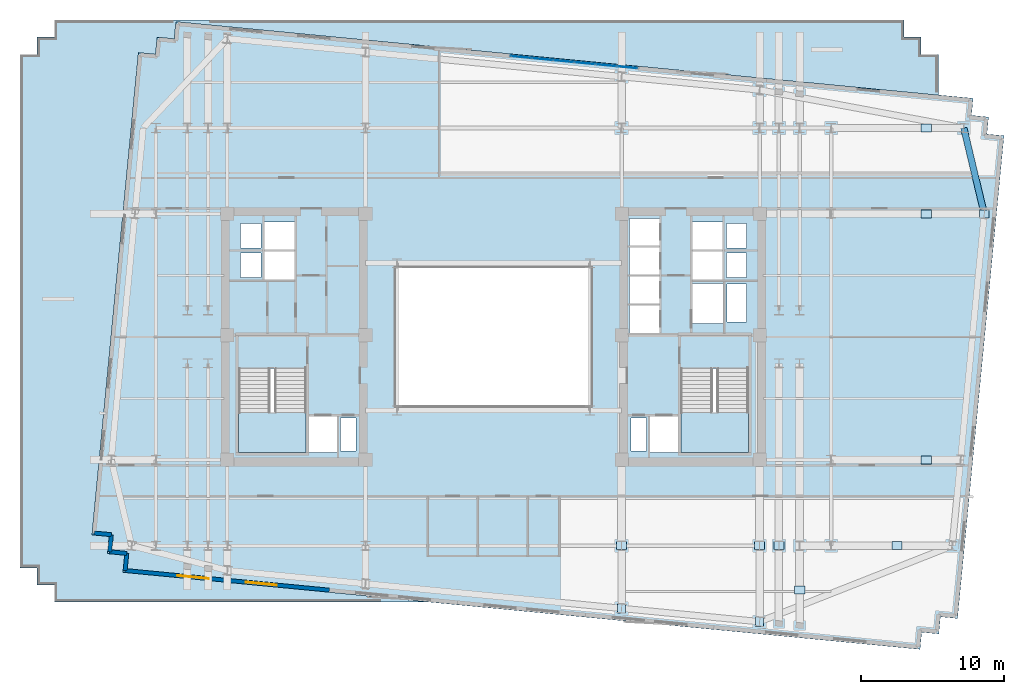
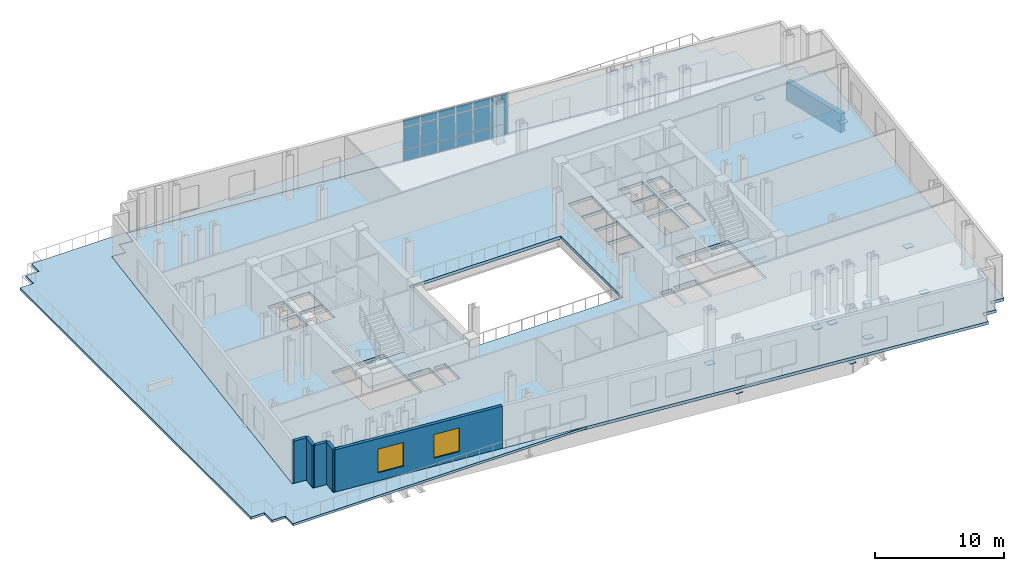
# One storey, part 4 of 11: 29 plates, 5 walls, 4 slabs, 2 windows, 1 beam, 2 openings, 3 elements without a shape of their own.
"""IFC4 building model written with IfcOpenShell, lengths in metres."""

from ifc_helpers import new_model, si_unit, direction, frame, frame_2d, origin, origin_2d, place, context, subcontext, project, spatial, polyline, rectangle, outline, extrude, material, layer, layer_set, material_profile, profile_set, type_object, element, fill, aggregate, save


model = new_model("IFC4")

# Units and contexts
model_context = context("Model", 3, precision=1e-05, world=origin(), true_north=direction((0.0, 1.0)))
body_context = subcontext(model_context, "Body", "Model", "MODEL_VIEW")
ifc_project = project(units=[si_unit("LENGTHUNIT", "METRE"), si_unit("AREAUNIT", "SQUARE_METRE"), si_unit("VOLUMEUNIT", "CUBIC_METRE"), si_unit("PLANEANGLEUNIT", "RADIAN"), si_unit("MASSUNIT", "GRAM", prefix="KILO")], contexts=[model_context])

# Site, building, storey
site_placement = place(None, origin())
site = spatial("IfcSite", under=ifc_project, at=site_placement, CompositionType="ELEMENT")
building_placement = place(site_placement, origin())
building = spatial("IfcBuilding", under=site, at=building_placement, Name="Velakula Bourse", CompositionType="ELEMENT")
storey_placement = place(building_placement, frame((0.0, 0.0, 156.199951171875)))
storey = spatial("IfcBuildingStorey", under=building, at=storey_placement, Name="L42", CompositionType="ELEMENT", Elevation=156.199951171875)

# Beam
ifc_material_1 = material(Name="Concrete M50 (fck 50 MPa)", Category="concrete")
ifc_material_profile = material_profile(ifc_material_1, rectangle(XDim=0.449951171875, YDim=1.800048828125, at=origin_2d()), Name="Concrete M50 (fck 50 MPa)")
ifc_profile_set = profile_set([ifc_material_profile], Name="Concrete M50 (fck 50 MPa)")
beam_type = type_object("IfcBeamType", Name="SPN-TRF-1800", PredefinedType="SPANDREL", material=ifc_profile_set)
beam_placement = place(storey_placement, frame((34.30517578125, 8.60009765625, -1.179931640625), z_axis=(-0.232091371601, 0.972693988482, 0.0), x_axis=(-0.972693988482, -0.232091371601, 0.0)))
element("IfcBeam", 1, at=beam_placement, inside=storey, type_object=beam_type, Name="L42 Brick-Faced Precast Spandrel E3-E4", PredefinedType="SPANDREL", context=body_context, shape_type="SweptSolid", body=[
    extrude(rectangle(XDim=0.449951171875, YDim=1.800048828125, at=origin_2d()), origin(), (0.0, 0.0, 1.0), 6.16845703125),
])

# Plates
ifc_material_2 = material(Name="Steel IS 2062 Grade 350 (E350)", Category="steel")
ifc_layer_1 = layer(ifc_material_2, 0.0400390625, Name="Steel IS 2062 Grade 350 (E350)", Category="steel")
ifc_layer_set_1 = layer_set([ifc_layer_1], Name="Steel IS 2062 Grade 350 (E350)")
plate_type_1 = type_object("IfcPlateType", Name="PLT-NODE-TRF", PredefinedType="USERDEFINED", material=ifc_layer_set_1)
plate_1_placement = place(storey_placement, frame((8.949951171875, -18.9814453125, -1.050048828125), z_axis=(0.0, 0.0, 1.0), x_axis=(0.0, -1.0, 0.0)))
element("IfcPlate", 2, at=plate_1_placement, inside=storey, type_object=plate_type_1, Name="L42 Transfer Raking Strut Head Gusset S3", ObjectType="GUSSET PLATE", PredefinedType="USERDEFINED", context=body_context, shape_type="SweptSolid", body=[
    extrude(rectangle(XDim=0.639892578125, YDim=0.56005859375, at=origin_2d()), origin(), (0.0, 0.0, 1.0), 0.0400390625),
])
plate_2_placement = place(storey_placement, frame((8.949951171875, -14.60009765625, -1.050048828125), z_axis=(0.0, 0.0, 1.0), x_axis=(0.0, 1.0, 0.0)))
element("IfcPlate", 3, at=plate_2_placement, inside=storey, type_object=plate_type_1, Name="L42 Cantilever Fulcrum Node Gusset Plate S3", ObjectType="GUSSET PLATE", PredefinedType="USERDEFINED", context=body_context, shape_type="SweptSolid", body=[
    extrude(rectangle(XDim=0.56005859375, YDim=0.719970703125, at=origin_2d()), origin(), (0.0, 0.0, 1.0), 0.0400390625),
])
plate_3_placement = place(storey_placement, frame((18.60009765625, -19.91064453125, -1.050048828125), z_axis=(0.0, 0.0, 1.0), x_axis=(0.0, -1.0, 0.0)))
element("IfcPlate", 4, at=plate_3_placement, inside=storey, type_object=plate_type_1, Name="L42 Transfer Raking Strut Head Gusset S4", ObjectType="GUSSET PLATE", PredefinedType="USERDEFINED", context=body_context, shape_type="SweptSolid", body=[
    extrude(rectangle(XDim=0.639892578125, YDim=0.56005859375, at=origin_2d()), origin(), (0.0, 0.0, 1.0), 0.0400390625),
])
plate_4_placement = place(storey_placement, frame((18.60009765625, -14.60009765625, -1.050048828125), z_axis=(0.0, 0.0, 1.0), x_axis=(0.0, 1.0, 0.0)))
element("IfcPlate", 5, at=plate_4_placement, inside=storey, type_object=plate_type_1, Name="L42 Cantilever Fulcrum Node Gusset Plate S4", ObjectType="GUSSET PLATE", PredefinedType="USERDEFINED", context=body_context, shape_type="SweptSolid", body=[
    extrude(rectangle(XDim=0.56005859375, YDim=0.719970703125, at=origin_2d()), origin(), (0.0, 0.0, 1.0), 0.0400390625),
])
for number, where, z_axis, x_axis, name in (
    (6, (28.199951171875, -14.60009765625, -1.050048828125), (0.0, 0.0, 1.0), (1.0, 0.0, 0.0), "L42 Cantilever Fulcrum Node Gusset Plate E1"),
    (7, (30.25, -8.60009765625, -1.050048828125), (0.0, 0.0, 1.0), (1.0, 0.0, 0.0), "L42 Cantilever Fulcrum Node Gusset Plate E2"),
):
    element("IfcPlate", number, at=place(storey_placement, frame(where, z_axis=z_axis, x_axis=x_axis)), inside=storey, type_object=plate_type_1, Name=name, ObjectType="GUSSET PLATE", PredefinedType="USERDEFINED", context=body_context, shape_type="SweptSolid", body=[
        extrude(rectangle(XDim=0.719970703125, YDim=0.56005859375, at=origin_2d()), origin(), (0.0, 0.0, 1.0), 0.0400390625),
    ])
plate_5_placement = place(storey_placement, frame((34.30517578125, 8.60009765625, -1.050048828125), z_axis=(0.0, 0.0, 1.0), x_axis=(1.0, 0.0, 0.0)))
element("IfcPlate", 8, at=plate_5_placement, inside=storey, type_object=plate_type_1, Name="L42 Transfer Raking Strut Head Gusset E3", ObjectType="GUSSET PLATE", PredefinedType="USERDEFINED", context=body_context, shape_type="SweptSolid", body=[
    extrude(rectangle(XDim=0.639892578125, YDim=0.56005859375, at=origin_2d()), origin(), (0.0, 0.0, 1.0), 0.0400390625),
])
for number, where, z_axis, x_axis, name in (
    (9, (30.25, 8.60009765625, -1.050048828125), (0.0, 0.0, 1.0), (1.0, 0.0, 0.0), "L42 Cantilever Fulcrum Node Gusset Plate E3"),
    (10, (30.25, 14.60009765625, -1.050048828125), (0.0, 0.0, 1.0), (1.0, 0.0, 0.0), "L42 Cantilever Fulcrum Node Gusset Plate E4"),
):
    element("IfcPlate", number, at=place(storey_placement, frame(where, z_axis=z_axis, x_axis=x_axis)), inside=storey, type_object=plate_type_1, Name=name, ObjectType="GUSSET PLATE", PredefinedType="USERDEFINED", context=body_context, shape_type="SweptSolid", body=[
        extrude(rectangle(XDim=0.719970703125, YDim=0.56005859375, at=origin_2d()), origin(), (0.0, 0.0, 1.0), 0.0400390625),
    ])
for number, where, z_axis, x_axis, name in (
    (11, (19.949951171875, -14.60009765625, -1.050048828125), (0.0, 0.0, 1.0), (0.0, 1.0, 0.0), "L42 Cantilever Fulcrum Node Gusset Plate P03"),
    (12, (21.39990234375, -17.699951171875, -1.050048828125), (0.0, 0.0, 1.0), (0.0, 1.0, 0.0), "L42 Cantilever Fulcrum Node Gusset Plate P04"),
):
    element("IfcPlate", number, at=place(storey_placement, frame(where, z_axis=z_axis, x_axis=x_axis)), inside=storey, type_object=plate_type_1, Name=name, ObjectType="GUSSET PLATE", PredefinedType="USERDEFINED", context=body_context, shape_type="SweptSolid", body=[
        extrude(rectangle(XDim=0.56005859375, YDim=0.719970703125, at=origin_2d()), origin(), (0.0, 0.0, 1.0), 0.0400390625),
    ])

# Curtain wall, plates
ifc_material_3 = material(Name="Anodised bronze architectural aluminium", Category="aluminium")
ifc_layer_2 = layer(ifc_material_3, 0.1650390625, Name="Anodised bronze architectural aluminium", Category="aluminium")
ifc_layer_set_2 = layer_set([ifc_layer_2], Name="Anodised bronze architectural aluminium")
curtain_wall_type = type_object("IfcCurtainWallType", Name="CW-SL1", PredefinedType="NOTDEFINED", material=ifc_layer_set_2)
curtain_wall_placement = place(storey_placement, origin())
curtain_wall = element("IfcCurtainWall", 13, at=curtain_wall_placement, inside=storey, type_object=curtain_wall_type, Name="L42 Sky-Lobby Feature Curtain Wall", PredefinedType="NOTDEFINED")
ifc_material_4 = material(Name="Double-glazed solar-control Low-E glass", Category="glass")
ifc_layer_3 = layer(ifc_material_4, 0.02490234375, Name="Double-glazed solar-control Low-E glass", Category="glass")
ifc_layer_set_3 = layer_set([ifc_layer_3], Name="Double-glazed solar-control Low-E glass")
plate_type_2 = type_object("IfcPlateType", Name="PNL-CW-SL1", PredefinedType="CURTAIN_PANEL", material=ifc_layer_set_3)
plate_6_placement = place(storey_placement, frame((1.92138671875, 19.5595703125, 0.06005859375), z_axis=(0.0, 0.0, 1.0), x_axis=(0.995395297998, -0.095855102754, 0.0)))
plate_6 = element("IfcPlate", 14, at=plate_6_placement, type_object=plate_type_2, Name="CW-SL1 panel 1.1", PredefinedType="CURTAIN_PANEL", context=body_context, shape_type="SweptSolid", body=[
    extrude(rectangle(XDim=1.409912109375, YDim=0.028076171875, at=origin_2d()), origin(), (0.0, 0.0, 1.0), 1.010009765625),
])
plate_7_placement = place(storey_placement, frame((1.92138671875, 19.5595703125, 1.1298828125), z_axis=(0.0, 0.0, 1.0), x_axis=(0.995395297998, -0.095855102754, 0.0)))
plate_7 = element("IfcPlate", 15, at=plate_7_placement, type_object=plate_type_2, Name="CW-SL1 panel 1.2", PredefinedType="CURTAIN_PANEL", context=body_context, shape_type="SweptSolid", body=[
    extrude(rectangle(XDim=1.409912109375, YDim=0.028076171875, at=origin_2d()), origin(), (0.0, 0.0, 1.0), 2.090087890625),
])
plate_8_placement = place(storey_placement, frame((1.92138671875, 19.5595703125, 3.2802734375), z_axis=(0.0, 0.0, 1.0), x_axis=(0.995395297998, -0.095855102754, 0.0)))
plate_8 = element("IfcPlate", 16, at=plate_8_placement, type_object=plate_type_2, Name="CW-SL1 panel 1.3", PredefinedType="CURTAIN_PANEL", context=body_context, shape_type="SweptSolid", body=[
    extrude(rectangle(XDim=1.409912109375, YDim=0.028076171875, at=origin_2d()), origin(), (0.0, 0.0, 1.0), 0.659912109375),
])
plate_9_placement = place(storey_placement, frame((3.399658203125, 19.417236328125, 0.06005859375), z_axis=(0.0, 0.0, 1.0), x_axis=(0.995395297998, -0.095855102754, 0.0)))
plate_9 = element("IfcPlate", 17, at=plate_9_placement, type_object=plate_type_2, Name="CW-SL1 panel 2.1", PredefinedType="CURTAIN_PANEL", context=body_context, shape_type="SweptSolid", body=[
    extrude(rectangle(XDim=1.43994140625, YDim=0.028076171875, at=origin_2d()), origin(), (0.0, 0.0, 1.0), 1.010009765625),
])
plate_10_placement = place(storey_placement, frame((3.399658203125, 19.417236328125, 1.1298828125), z_axis=(0.0, 0.0, 1.0), x_axis=(0.995395297998, -0.095855102754, 0.0)))
plate_10 = element("IfcPlate", 18, at=plate_10_placement, type_object=plate_type_2, Name="CW-SL1 panel 2.2", PredefinedType="CURTAIN_PANEL", context=body_context, shape_type="SweptSolid", body=[
    extrude(rectangle(XDim=1.43994140625, YDim=0.028076171875, at=origin_2d()), origin(), (0.0, 0.0, 1.0), 2.090087890625),
])
plate_11_placement = place(storey_placement, frame((3.399658203125, 19.417236328125, 3.2802734375), z_axis=(0.0, 0.0, 1.0), x_axis=(0.995395297998, -0.095855102754, 0.0)))
plate_11 = element("IfcPlate", 19, at=plate_11_placement, type_object=plate_type_2, Name="CW-SL1 panel 2.3", PredefinedType="CURTAIN_PANEL", context=body_context, shape_type="SweptSolid", body=[
    extrude(rectangle(XDim=1.43994140625, YDim=0.028076171875, at=origin_2d()), origin(), (0.0, 0.0, 1.0), 0.659912109375),
])
plate_12_placement = place(storey_placement, frame((4.892822265625, 19.2734375, 0.06005859375), z_axis=(0.0, 0.0, 1.0), x_axis=(0.995395297998, -0.095855102754, 0.0)))
plate_12 = element("IfcPlate", 20, at=plate_12_placement, type_object=plate_type_2, Name="CW-SL1 panel 3.1", PredefinedType="CURTAIN_PANEL", context=body_context, shape_type="SweptSolid", body=[
    extrude(rectangle(XDim=1.43994140625, YDim=0.028076171875, at=origin_2d()), origin(), (0.0, 0.0, 1.0), 1.010009765625),
])
plate_13_placement = place(storey_placement, frame((4.892822265625, 19.2734375, 1.1298828125), z_axis=(0.0, 0.0, 1.0), x_axis=(0.995395297998, -0.095855102754, 0.0)))
plate_13 = element("IfcPlate", 21, at=plate_13_placement, type_object=plate_type_2, Name="CW-SL1 panel 3.2", PredefinedType="CURTAIN_PANEL", context=body_context, shape_type="SweptSolid", body=[
    extrude(rectangle(XDim=1.43994140625, YDim=0.028076171875, at=origin_2d()), origin(), (0.0, 0.0, 1.0), 2.090087890625),
])
plate_14_placement = place(storey_placement, frame((4.892822265625, 19.2734375, 3.2802734375), z_axis=(0.0, 0.0, 1.0), x_axis=(0.995395297998, -0.095855102754, 0.0)))
plate_14 = element("IfcPlate", 22, at=plate_14_placement, type_object=plate_type_2, Name="CW-SL1 panel 3.3", PredefinedType="CURTAIN_PANEL", context=body_context, shape_type="SweptSolid", body=[
    extrude(rectangle(XDim=1.43994140625, YDim=0.028076171875, at=origin_2d()), origin(), (0.0, 0.0, 1.0), 0.659912109375),
])
plate_15_placement = place(storey_placement, frame((6.3857421875, 19.129638671875, 0.06005859375), z_axis=(0.0, 0.0, 1.0), x_axis=(0.995395297998, -0.095855102754, 0.0)))
plate_15 = element("IfcPlate", 23, at=plate_15_placement, type_object=plate_type_2, Name="CW-SL1 panel 4.1", PredefinedType="CURTAIN_PANEL", context=body_context, shape_type="SweptSolid", body=[
    extrude(rectangle(XDim=1.43994140625, YDim=0.028076171875, at=origin_2d()), origin(), (0.0, 0.0, 1.0), 1.010009765625),
])
plate_16_placement = place(storey_placement, frame((6.3857421875, 19.129638671875, 1.1298828125), z_axis=(0.0, 0.0, 1.0), x_axis=(0.995395297998, -0.095855102754, 0.0)))
plate_16 = element("IfcPlate", 24, at=plate_16_placement, type_object=plate_type_2, Name="CW-SL1 panel 4.2", PredefinedType="CURTAIN_PANEL", context=body_context, shape_type="SweptSolid", body=[
    extrude(rectangle(XDim=1.43994140625, YDim=0.028076171875, at=origin_2d()), origin(), (0.0, 0.0, 1.0), 2.090087890625),
])
plate_17_placement = place(storey_placement, frame((6.3857421875, 19.129638671875, 3.2802734375), z_axis=(0.0, 0.0, 1.0), x_axis=(0.995395297998, -0.095855102754, 0.0)))
plate_17 = element("IfcPlate", 25, at=plate_17_placement, type_object=plate_type_2, Name="CW-SL1 panel 4.3", PredefinedType="CURTAIN_PANEL", context=body_context, shape_type="SweptSolid", body=[
    extrude(rectangle(XDim=1.43994140625, YDim=0.028076171875, at=origin_2d()), origin(), (0.0, 0.0, 1.0), 0.659912109375),
])
plate_18_placement = place(storey_placement, frame((7.87890625, 18.986083984375, 0.06005859375), z_axis=(0.0, 0.0, 1.0), x_axis=(0.995395297998, -0.095855102754, 0.0)))
plate_18 = element("IfcPlate", 26, at=plate_18_placement, type_object=plate_type_2, Name="CW-SL1 panel 5.1", PredefinedType="CURTAIN_PANEL", context=body_context, shape_type="SweptSolid", body=[
    extrude(rectangle(XDim=1.43994140625, YDim=0.028076171875, at=origin_2d()), origin(), (0.0, 0.0, 1.0), 1.010009765625),
])
plate_19_placement = place(storey_placement, frame((7.87890625, 18.986083984375, 1.1298828125), z_axis=(0.0, 0.0, 1.0), x_axis=(0.995395297998, -0.095855102754, 0.0)))
plate_19 = element("IfcPlate", 27, at=plate_19_placement, type_object=plate_type_2, Name="CW-SL1 panel 5.2", PredefinedType="CURTAIN_PANEL", context=body_context, shape_type="SweptSolid", body=[
    extrude(rectangle(XDim=1.43994140625, YDim=0.028076171875, at=origin_2d()), origin(), (0.0, 0.0, 1.0), 2.090087890625),
])
plate_20_placement = place(storey_placement, frame((7.87890625, 18.986083984375, 3.2802734375), z_axis=(0.0, 0.0, 1.0), x_axis=(0.995395297998, -0.095855102754, 0.0)))
plate_20 = element("IfcPlate", 28, at=plate_20_placement, type_object=plate_type_2, Name="CW-SL1 panel 5.3", PredefinedType="CURTAIN_PANEL", context=body_context, shape_type="SweptSolid", body=[
    extrude(rectangle(XDim=1.43994140625, YDim=0.028076171875, at=origin_2d()), origin(), (0.0, 0.0, 1.0), 0.659912109375),
])
plate_21_placement = place(storey_placement, frame((9.357177734375, 18.84375, 0.06005859375), z_axis=(0.0, 0.0, 1.0), x_axis=(0.995395297998, -0.095855102754, 0.0)))
plate_21 = element("IfcPlate", 29, at=plate_21_placement, type_object=plate_type_2, Name="CW-SL1 panel 6.1", PredefinedType="CURTAIN_PANEL", context=body_context, shape_type="SweptSolid", body=[
    extrude(rectangle(XDim=1.409912109375, YDim=0.028076171875, at=origin_2d()), origin(), (0.0, 0.0, 1.0), 1.010009765625),
])
plate_22_placement = place(storey_placement, frame((9.357177734375, 18.84375, 1.1298828125), z_axis=(0.0, 0.0, 1.0), x_axis=(0.995395297998, -0.095855102754, 0.0)))
plate_22 = element("IfcPlate", 30, at=plate_22_placement, type_object=plate_type_2, Name="CW-SL1 panel 6.2", PredefinedType="CURTAIN_PANEL", context=body_context, shape_type="SweptSolid", body=[
    extrude(rectangle(XDim=1.409912109375, YDim=0.028076171875, at=origin_2d()), origin(), (0.0, 0.0, 1.0), 2.090087890625),
])
plate_23_placement = place(storey_placement, frame((9.357177734375, 18.84375, 3.2802734375), z_axis=(0.0, 0.0, 1.0), x_axis=(0.995395297998, -0.095855102754, 0.0)))
plate_23 = element("IfcPlate", 31, at=plate_23_placement, type_object=plate_type_2, Name="CW-SL1 panel 6.3", PredefinedType="CURTAIN_PANEL", context=body_context, shape_type="SweptSolid", body=[
    extrude(rectangle(XDim=1.409912109375, YDim=0.028076171875, at=origin_2d()), origin(), (0.0, 0.0, 1.0), 0.659912109375),
])
aggregate(curtain_wall, [plate_6, plate_7, plate_8, plate_9, plate_10, plate_11, plate_12, plate_13, plate_14, plate_15, plate_16, plate_17, plate_18, plate_19, plate_20, plate_21, plate_22, plate_23])

# Stair, slab
ifc_material_5 = material(Name="Concrete M45 (fck 45 MPa)", Category="concrete")
stair_type = type_object("IfcStairType", Name="STR-DOG-435", PredefinedType="HALF_TURN_STAIR", material=ifc_material_5)
stair_1_placement = place(storey_placement, origin())
stair_1 = element("IfcStair", 32, at=stair_1_placement, inside=storey, type_object=stair_type, Name="L42 West Core Exit Stair ST-W1", PredefinedType="HALF_TURN_STAIR")
ifc_layer_4 = layer(ifc_material_5, 0.199951171875, Name="Concrete M45 (fck 45 MPa)", Category="concrete")
ifc_layer_set_4 = layer_set([ifc_layer_4], Name="Concrete M45 (fck 45 MPa)")
slab_type_1 = type_object("IfcSlabType", Name="SLB-STAIR-LND-200", PredefinedType="LANDING", material=ifc_layer_set_4)
slab_1_placement = place(storey_placement, frame((0.0, 0.0, 1.900146484375)))
slab_1 = element("IfcSlab", 33, at=slab_1_placement, type_object=slab_type_1, Name="ST-W1 landing 1", PredefinedType="LANDING", context=body_context, shape_type="SweptSolid", body=[
    extrude(outline(polyline([(-17.820068359375, -5.280029296875), (-17.820068359375, -8.10009765625), (-13.10009765625, -8.10009765625), (-13.10009765625, -5.280029296875), (-17.820068359375, -5.280029296875)])), origin(), (0.0, 0.0, 1.0), 0.199951171875),
])
aggregate(stair_1, [slab_1])

stair_2_placement = place(storey_placement, origin())
stair_2 = element("IfcStair", 34, at=stair_2_placement, inside=storey, type_object=stair_type, Name="L42 East Core Exit Stair ST-E1", PredefinedType="HALF_TURN_STAIR")
slab_2_placement = place(storey_placement, frame((0.0, 0.0, 1.900146484375)))
slab_2 = element("IfcSlab", 35, at=slab_2_placement, type_object=slab_type_1, Name="ST-E1 landing 1", PredefinedType="LANDING", context=body_context, shape_type="SweptSolid", body=[
    extrude(outline(polyline([(13.10009765625, -5.280029296875), (13.10009765625, -8.10009765625), (17.820068359375, -8.10009765625), (17.820068359375, -5.280029296875), (13.10009765625, -5.280029296875)])), origin(), (0.0, 0.0, 1.0), 0.199951171875),
])
aggregate(stair_2, [slab_2])

# Slabs
ifc_layer_5 = layer(ifc_material_1, 0.219970703125, Name="Concrete M50 (fck 50 MPa)", Category="concrete")
ifc_layer_set_5 = layer_set([ifc_layer_5], Name="Concrete M50 (fck 50 MPa)")
slab_type_2 = type_object("IfcSlabType", Name="SLB-TERR-220", PredefinedType="ROOF", material=ifc_layer_set_5)
slab_3_placement = place(storey_placement, frame((0.0, 0.0, -0.219970703125)))
element("IfcSlab", 36, at=slab_3_placement, inside=storey, type_object=slab_type_2, Name="L42 Block B4 Triple-Height Sky-Garden Veranda", PredefinedType="ROOF", context=body_context, shape_type="SweptSolid", body=[
    extrude(outline(polyline([(-30.699951171875, -18.550048828125), (-30.699951171875, -17.35009765625), (-31.89990234375, -17.35009765625), (-31.89990234375, -16.14990234375), (-33.10009765625, -16.14990234375), (-33.10009765625, 19.75), (-31.89990234375, 19.75), (-31.89990234375, 20.949951171875), (-30.699951171875, 20.949951171875), (-30.699951171875, 22.14990234375), (28.699951171875, 22.14990234375), (28.699951171875, 20.949951171875), (29.89990234375, 20.949951171875), (29.89990234375, 19.75), (31.10009765625, 19.75), (31.10009765625, 16.890625), (-22.198486328125, 22.022705078125), (-22.3115234375, 20.84814453125), (-22.31201171875, 20.84619140625), (-22.312255859375, 20.844482421875), (-22.31298828125, 20.842529296875), (-22.313720703125, 20.8408203125), (-22.314697265625, 20.839111328125), (-22.31591796875, 20.83740234375), (-22.3173828125, 20.8359375), (-22.31884765625, 20.834716796875), (-22.3203125, 20.83349609375), (-22.322021484375, 20.83251953125), (-22.32373046875, 20.831787109375), (-22.32568359375, 20.8310546875), (-22.327392578125, 20.83056640625), (-22.32958984375, 20.830078125), (-22.331298828125, 20.830078125), (-22.33349609375, 20.830078125), (-23.508056640625, 20.943359375), (-23.62109375, 19.768798828125), (-23.621337890625, 19.766845703125), (-23.621826171875, 19.764892578125), (-23.62255859375, 19.762939453125), (-23.623291015625, 19.76123046875), (-23.624267578125, 19.759521484375), (-23.62548828125, 19.758056640625), (-23.626708984375, 19.756591796875), (-23.62841796875, 19.755126953125), (-23.6298828125, 19.754150390625), (-23.631591796875, 19.7529296875), (-23.63330078125, 19.752197265625), (-23.635009765625, 19.75146484375), (-23.636962890625, 19.751220703125), (-23.638916015625, 19.750732421875), (-23.640869140625, 19.750732421875), (-23.642822265625, 19.750732421875), (-24.8173828125, 19.864013671875), (-28.062744140625, -13.84033203125), (-26.88818359375, -13.953369140625), (-26.88623046875, -13.95361328125), (-26.884521484375, -13.9541015625), (-26.882568359375, -13.954833984375), (-26.880859375, -13.95556640625), (-26.879150390625, -13.95654296875), (-26.87744140625, -13.957763671875), (-26.8759765625, -13.958984375), (-26.874755859375, -13.96044921875), (-26.87353515625, -13.962158203125), (-26.87255859375, -13.9638671875), (-26.87158203125, -13.965576171875), (-26.87109375, -13.96728515625), (-26.87060546875, -13.96923828125), (-26.870361328125, -13.97119140625), (-26.8701171875, -13.97314453125), (-26.8701171875, -13.97509765625), (-26.9833984375, -15.14990234375), (-25.808837890625, -15.262939453125), (-25.806884765625, -15.26318359375), (-25.804931640625, -15.263671875), (-25.802978515625, -15.264404296875), (-25.80126953125, -15.26513671875), (-25.799560546875, -15.26611328125), (-25.798095703125, -15.267333984375), (-25.796630859375, -15.2685546875), (-25.79541015625, -15.27001953125), (-25.794189453125, -15.271484375), (-25.793212890625, -15.273193359375), (-25.792236328125, -15.275146484375), (-25.79150390625, -15.27685546875), (-25.791015625, -15.27880859375), (-25.790771484375, -15.28076171875), (-25.790771484375, -15.28271484375), (-25.790771484375, -15.28466796875), (-25.90380859375, -16.459228515625), (-4.190673828125, -18.550048828125), (-30.699951171875, -18.550048828125)])), origin(), (0.0, 0.0, 1.0), 0.219970703125),
])
ifc_layer_6 = layer(ifc_material_1, 0.280029296875, Name="Concrete M50 (fck 50 MPa)", Category="concrete")
ifc_layer_set_6 = layer_set([ifc_layer_6], Name="Concrete M50 (fck 50 MPa)")
slab_type_3 = type_object("IfcSlabType", Name="SLB-TRF-280", PredefinedType="FLOOR", material=ifc_layer_set_6)
slab_4_placement = place(storey_placement, frame((0.0, 0.0, -0.280029296875)))
element("IfcSlab", 37, at=slab_4_placement, inside=storey, type_object=slab_type_3, Name="L42 Suspended Structural Floor Slab", PredefinedType="FLOOR", context=body_context, shape_type="SweptSolid", body=[
    extrude(outline(polyline([(-25.92578125, -16.477294921875), (29.81640625, -21.844482421875), (29.931396484375, -20.650146484375), (31.1259765625, -20.76513671875), (31.240966796875, -19.570556640625), (32.435546875, -19.685791015625), (35.6845703125, 14.058349609375), (34.490234375, 14.17333984375), (34.605224609375, 15.36767578125), (33.41064453125, 15.482666015625), (33.525634765625, 16.67724609375), (-22.216552734375, 22.044677734375), (-22.33154296875, 20.85009765625), (-23.52587890625, 20.965087890625), (-23.640869140625, 19.770751953125), (-24.83544921875, 19.8857421875), (-28.084716796875, -13.858154296875), (-26.89013671875, -13.973388671875), (-27.005126953125, -15.167724609375), (-25.810791015625, -15.28271484375), (-25.92578125, -16.477294921875)]), holes=[polyline([(-17.820068359375, -8.10009765625), (-13.10009765625, -8.10009765625), (-13.10009765625, -2.199951171875), (-17.820068359375, -2.199951171875), (-17.820068359375, -8.10009765625)]), polyline([(13.10009765625, -8.10009765625), (17.820068359375, -8.10009765625), (17.820068359375, -2.199951171875), (13.10009765625, -2.199951171875), (13.10009765625, -8.10009765625)]), polyline([(-12.89990234375, -8.10009765625), (-10.949951171875, -8.10009765625), (-10.949951171875, -5.550048828125), (-12.89990234375, -5.550048828125), (-12.89990234375, -8.10009765625)]), polyline([(10.949951171875, -8.10009765625), (12.89990234375, -8.10009765625), (12.89990234375, -5.550048828125), (10.949951171875, -5.550048828125), (10.949951171875, -8.10009765625)]), polyline([(13.89990234375, 0.919921875), (16.050048828125, 0.919921875), (16.050048828125, 3.719970703125), (13.89990234375, 3.719970703125), (13.89990234375, 0.919921875)]), polyline([(-10.679931640625, -7.97998046875), (-9.6201171875, -7.97998046875), (-9.6201171875, -5.669921875), (-10.679931640625, -5.669921875), (-10.679931640625, -7.97998046875)]), polyline([(-17.679931640625, 4.139892578125), (-16.27001953125, 4.139892578125), (-16.27001953125, 5.85009765625), (-17.679931640625, 5.85009765625), (-17.679931640625, 4.139892578125)]), polyline([(-17.679931640625, 6.2099609375), (-16.27001953125, 6.2099609375), (-16.27001953125, 7.919921875), (-17.679931640625, 7.919921875), (-17.679931640625, 6.2099609375)]), polyline([(9.6201171875, -7.97998046875), (10.679931640625, -7.97998046875), (10.679931640625, -5.669921875), (9.6201171875, -5.669921875), (9.6201171875, -7.97998046875)]), polyline([(16.27001953125, 4.139892578125), (17.679931640625, 4.139892578125), (17.679931640625, 5.85009765625), (16.27001953125, 5.85009765625), (16.27001953125, 4.139892578125)]), polyline([(16.27001953125, 6.2099609375), (17.679931640625, 6.2099609375), (17.679931640625, 7.919921875), (16.27001953125, 7.919921875), (16.27001953125, 6.2099609375)]), polyline([(16.320068359375, 1.0400390625), (17.679931640625, 1.0400390625), (17.679931640625, 3.699951171875), (16.320068359375, 3.699951171875), (16.320068359375, 1.0400390625)]), polyline([(9.5, 0.280029296875), (11.60009765625, 0.280029296875), (11.60009765625, 2.199951171875), (9.5, 2.199951171875), (9.5, 0.280029296875)]), polyline([(9.5, 2.31005859375), (11.60009765625, 2.31005859375), (11.60009765625, 4.22998046875), (9.5, 4.22998046875), (9.5, 2.31005859375)]), polyline([(9.5, 4.340087890625), (11.60009765625, 4.340087890625), (11.60009765625, 6.260009765625), (9.5, 6.260009765625), (9.5, 4.340087890625)]), polyline([(9.5, 6.3701171875), (11.60009765625, 6.3701171875), (11.60009765625, 8.2900390625), (9.5, 8.2900390625), (9.5, 6.3701171875)]), polyline([(-16.0, 4.02001953125), (-13.89990234375, 4.02001953125), (-13.89990234375, 5.969970703125), (-16.0, 5.969970703125), (-16.0, 4.02001953125)]), polyline([(-16.0, 6.090087890625), (-13.89990234375, 6.090087890625), (-13.89990234375, 8.0400390625), (-16.0, 8.0400390625), (-16.0, 6.090087890625)]), polyline([(13.89990234375, 4.02001953125), (16.0, 4.02001953125), (16.0, 5.969970703125), (13.89990234375, 5.969970703125), (13.89990234375, 4.02001953125)]), polyline([(13.89990234375, 6.090087890625), (16.0, 6.090087890625), (16.0, 8.0400390625), (13.89990234375, 8.0400390625), (13.89990234375, 6.090087890625)]), polyline([(-6.800048828125, -4.800048828125), (6.800048828125, -4.800048828125), (6.800048828125, 4.800048828125), (-6.800048828125, 4.800048828125), (-6.800048828125, -4.800048828125)])]), origin(), (0.0, 0.0, 1.0), 0.280029296875),
])

# Wall, openings, windows
ifc_material_6 = material(Name="Red kilned clay facing brick masonry", Category="masonry")
ifc_layer_7 = layer(ifc_material_6, 0.280029296875, Name="Red kilned clay facing brick masonry", Category="masonry")
ifc_layer_set_7 = layer_set([ifc_layer_7], Name="Red kilned clay facing brick masonry")
wall_type = type_object("IfcWallType", Name="WL-EXT-BRK-280", PredefinedType="STANDARD", material=ifc_layer_set_7)
wall_1_placement = place(storey_placement, frame((-11.47705078125, -17.707763671875, 0.0), z_axis=(0.0, 0.0, 1.0), x_axis=(-0.995395762701, 0.095850276977, 0.0)))
wall_1 = element("IfcWall", 38, at=wall_1_placement, inside=storey, type_object=wall_type, Name="L42 S Brick Spandrel Wall B1", PredefinedType="STANDARD", context=body_context, shape_type="SweptSolid", body=[
    extrude(rectangle(XDim=14.340087890625, YDim=0.280029296875, at=frame_2d((7.169921875, 0.0))), origin(), (0.0, 0.0, 1.0), 4.0),
])
opening_1_placement = place(wall_1_placement, frame((3.679931640625, 0.0, 0.760009765625)))
opening_1 = element("IfcOpeningElement", 39, at=opening_1_placement, cuts=wall_1, Name="Opening W-08", PredefinedType="OPENING", context=body_context, shape_type="SweptSolid", body=[
    extrude(rectangle(XDim=2.199951171875, YDim=2.25, at=frame_2d((1.10009765625, 1.125))), frame((0.0, 0.14990234375, 0.0), z_axis=(0.0, -1.0, 0.0), x_axis=(1.0, 0.0, 0.0)), (0.0, 0.0, 1.0), 0.300048828125),
])
opening_2_placement = place(wall_1_placement, frame((8.4599609375, 0.0, 0.760009765625)))
opening_2 = element("IfcOpeningElement", 40, at=opening_2_placement, cuts=wall_1, Name="Opening W-08", PredefinedType="OPENING", context=body_context, shape_type="SweptSolid", body=[
    extrude(rectangle(XDim=2.199951171875, YDim=2.25, at=frame_2d((1.10009765625, 1.125))), frame((0.0, 0.14990234375, 0.0), z_axis=(0.0, -1.0, 0.0), x_axis=(1.0, 0.0, 0.0)), (0.0, 0.0, 1.0), 0.300048828125),
])
window_type = type_object("IfcWindowType", Name="WIN-SL-2200x2500", PartitioningType="DOUBLE_PANEL_VERTICAL", PredefinedType="WINDOW", material=ifc_material_4)
window_1_placement = place(opening_1_placement, origin())
window_1 = element("IfcWindow", 41, at=window_1_placement, inside=storey, type_object=window_type, Name="L42 Deep-Set Recessed Window 1", OverallHeight=2.25, OverallWidth=2.199951171875, PartitioningType="DOUBLE_PANEL_VERTICAL", PredefinedType="WINDOW", context=body_context, shape_type="SweptSolid", body=[
    extrude(rectangle(XDim=2.199951171875, YDim=2.25, at=frame_2d((1.10009765625, 1.125))), frame((0.0, 0.030029296875, 0.0), z_axis=(0.0, -1.0, 0.0), x_axis=(1.0, 0.0, 0.0)), (0.0, 0.0, 1.0), 0.06005859375),
])
fill(opening_1, window_1)
window_2_placement = place(opening_2_placement, origin())
window_2 = element("IfcWindow", 42, at=window_2_placement, inside=storey, type_object=window_type, Name="L42 Deep-Set Recessed Window 2", OverallHeight=2.25, OverallWidth=2.199951171875, PartitioningType="DOUBLE_PANEL_VERTICAL", PredefinedType="WINDOW", context=body_context, shape_type="SweptSolid", body=[
    extrude(rectangle(XDim=2.199951171875, YDim=2.25, at=frame_2d((1.10009765625, 1.125))), frame((0.0, 0.030029296875, 0.0), z_axis=(0.0, -1.0, 0.0), x_axis=(1.0, 0.0, 0.0)), (0.0, 0.0, 1.0), 0.06005859375),
])
fill(opening_2, window_2)

# Walls
wall_2_placement = place(storey_placement, frame((-27.909912109375, -13.71435546875, 0.0), z_axis=(0.0, 0.0, 1.0), x_axis=(0.995397091755, -0.095836473879, 0.0)))
element("IfcWall", 43, at=wall_2_placement, inside=storey, type_object=wall_type, Name="L42 Serrated Corner Brick Wall SW-1", PredefinedType="STANDARD", context=body_context, shape_type="SweptSolid", body=[
    extrude(rectangle(XDim=1.199951171875, YDim=0.280029296875, at=frame_2d((0.60009765625, 0.0))), origin(), (0.0, 0.0, 1.0), 4.0),
])
for number, where, z_axis, x_axis, name in (
    (44, (-26.715576171875, -13.829345703125, 0.0), (0.0, 0.0, 1.0), (-0.095817067274, -0.995398960025, 0.0), "L42 Serrated Corner Brick Wall SW-2"),
    (45, (-26.83056640625, -15.02392578125, 0.0), (0.0, 0.0, 1.0), (0.995398960025, -0.095817067274, 0.0), "L42 Serrated Corner Brick Wall SW-3"),
):
    element("IfcWall", number, at=place(storey_placement, frame(where, z_axis=z_axis, x_axis=x_axis)), inside=storey, type_object=wall_type, Name=name, PredefinedType="STANDARD", context=body_context, shape_type="SweptSolid", body=[
        extrude(rectangle(XDim=1.2001953125, YDim=0.280029296875, at=frame_2d((0.60009765625, 0.0))), origin(), (0.0, 0.0, 1.0), 4.0),
    ])
wall_3_placement = place(storey_placement, frame((-25.635986328125, -15.138916015625, 0.0), z_axis=(0.0, 0.0, 1.0), x_axis=(-0.096038073607, -0.995377661201, 0.0)))
element("IfcWall", 46, at=wall_3_placement, inside=storey, type_object=wall_type, Name="L42 Serrated Corner Brick Wall SW-4", PredefinedType="STANDARD", context=body_context, shape_type="SweptSolid", body=[
    extrude(rectangle(XDim=1.199951171875, YDim=0.280029296875, at=frame_2d((0.60009765625, 0.0))), origin(), (0.0, 0.0, 1.0), 4.0),
])

save(model, "model.ifc")
